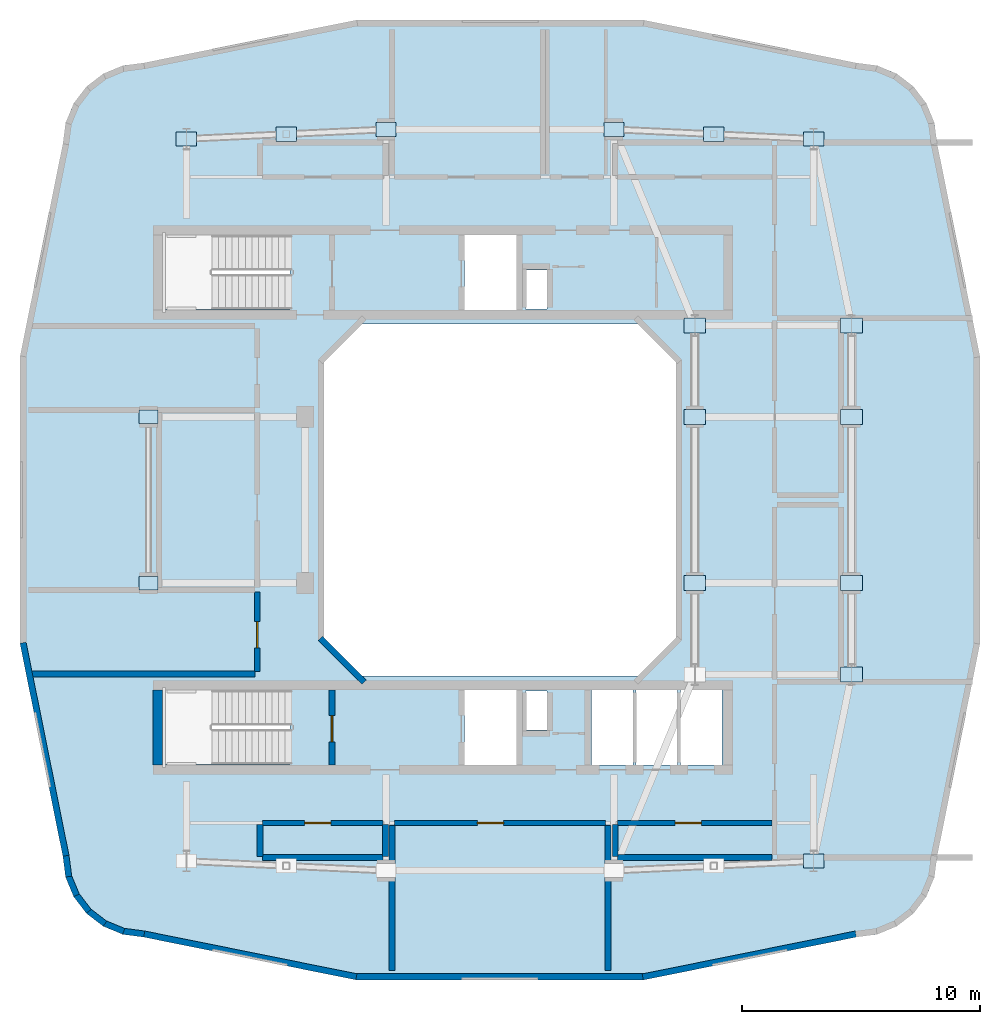
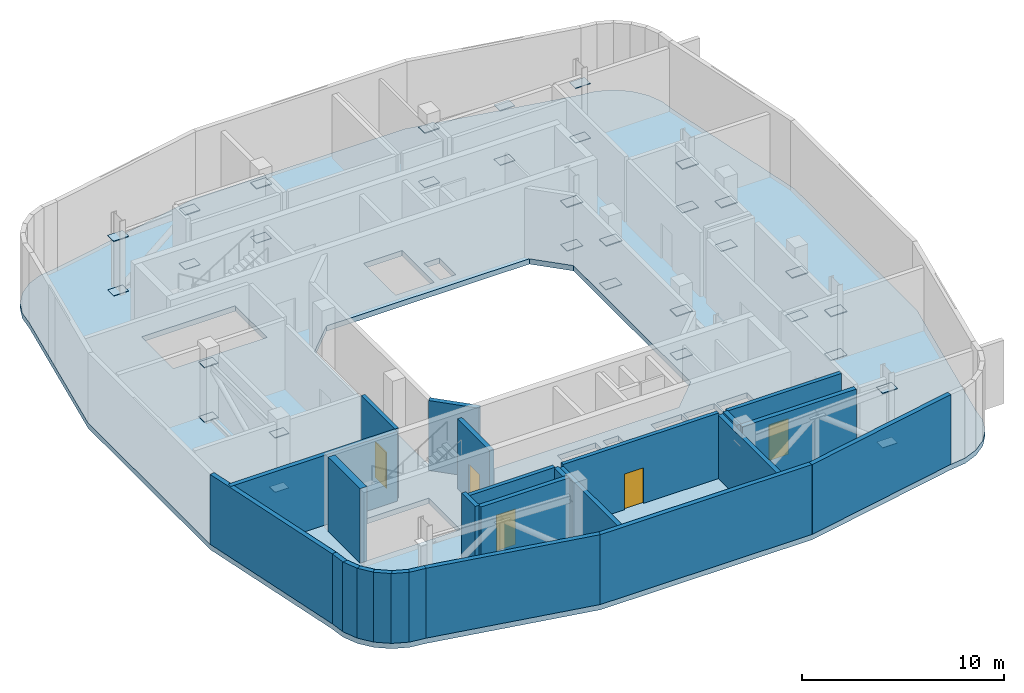
# One storey, part 3 of 9: 32 plates, 25 walls, 5 doors, 1 slab, 5 openings.
"""IFC4 building model written with IfcOpenShell, lengths in metres."""

from ifc_helpers import new_model, si_unit, derived_unit, direction, frame, frame_2d, origin, origin_2d, place, context, subcontext, project, spatial, polyline, rectangle, outline, extrude, material, layer, layer_set, type_object, element, fill, save


model = new_model("IFC4")

# Units and contexts
model_context = context("Model", 3, precision=1e-05, world=origin(), true_north=direction((0.0, 1.0)))
body_context = subcontext(model_context, "Body", "Model", "MODEL_VIEW")
ifc_project = project(units=[si_unit("LENGTHUNIT", "METRE"), si_unit("AREAUNIT", "SQUARE_METRE"), si_unit("VOLUMEUNIT", "CUBIC_METRE"), si_unit("PLANEANGLEUNIT", "RADIAN"), si_unit("MASSUNIT", "GRAM", prefix="KILO"), derived_unit("THERMALTRANSMITTANCEUNIT", [(si_unit("POWERUNIT", "WATT"), 1), (si_unit("LENGTHUNIT", "METRE"), -2), (si_unit("THERMODYNAMICTEMPERATUREUNIT", "KELVIN"), -1)])], contexts=[model_context])

# Site, building, storey
site_placement = place(None, origin())
site = spatial("IfcSite", under=ifc_project, at=site_placement, CompositionType="ELEMENT")
building_placement = place(site_placement, origin())
building = spatial("IfcBuilding", under=site, at=building_placement, Name="Kivonza Crest Hotel", CompositionType="ELEMENT")
storey_placement = place(building_placement, frame((0.0, 0.0, 173.0)))
storey = spatial("IfcBuildingStorey", under=building, at=storey_placement, Name="L47", CompositionType="ELEMENT", Elevation=173.0)

# Plates
ifc_material_1 = material(Name="Steel S355", Category="steel")
ifc_layer_1 = layer(ifc_material_1, 0.031982421875)
ifc_layer_set_1 = layer_set([ifc_layer_1], Name="Steel S355")
plate_type_1 = type_object("IfcPlateType", Name="PL-NODE-BT1", PredefinedType="SHEET", material=ifc_layer_set_1)
for number, where, z_axis, x_axis, name in (
    (1, (6.199951171875, 21.5, -0.01611328125), (0.0, 0.0, 1.0), (1.0, 0.0, 0.0), "ND-BT1 node gusset and end-cap plate L47 101"),
    (2, (6.199951171875, 28.5, -0.01611328125), (0.0, 0.0, 1.0), (1.0, 0.0, 0.0), "ND-BT1 node gusset and end-cap plate L47 102"),
    (3, (6.199951171875, 21.5, 3.2841796875), (0.0, 0.0, 1.0), (1.0, 0.0, 0.0), "ND-BT1 node gusset and end-cap plate L47 103"),
    (4, (6.199951171875, 28.5, 3.2841796875), (0.0, 0.0, 1.0), (1.0, 0.0, 0.0), "ND-BT1 node gusset and end-cap plate L47 104"),
):
    element("IfcPlate", number, at=place(storey_placement, frame(where, z_axis=z_axis, x_axis=x_axis)), inside=storey, type_object=plate_type_1, Name=name, PredefinedType="SHEET", context=body_context, shape_type="SweptSolid", body=[
        extrude(rectangle(XDim=0.800048828125, YDim=0.56005859375, at=origin_2d()), origin(), (0.0, 0.0, 1.0), 0.031982421875),
    ])
ifc_layer_2 = layer(ifc_material_1, 0.035888671875)
ifc_layer_set_2 = layer_set([ifc_layer_2], Name="Steel S355")
plate_type_2 = type_object("IfcPlateType", Name="PL-NODE-OT1", PredefinedType="SHEET", material=ifc_layer_set_2)
for number, where, z_axis, x_axis, name in (
    (5, (12.0, 40.39990234375, -0.01806640625), (0.0, 0.0, 1.0), (1.0, 0.0, 0.0), "ND-OT1 node gusset and end-cap plate L47 77"),
    (6, (12.0, 40.39990234375, 3.2822265625), (0.0, 0.0, 1.0), (1.0, 0.0, 0.0), "ND-OT1 node gusset and end-cap plate L47 78"),
    (7, (16.199951171875, 40.60009765625, -0.01806640625), (0.0, 0.0, 1.0), (1.0, 0.0, 0.0), "ND-OT1 node gusset and end-cap plate L47 79"),
    (8, (16.199951171875, 40.60009765625, 3.2822265625), (0.0, 0.0, 1.0), (1.0, 0.0, 0.0), "ND-OT1 node gusset and end-cap plate L47 80"),
    (9, (7.800048828125, 40.199951171875, -0.01806640625), (0.0, 0.0, 1.0), (1.0, 0.0, 0.0), "ND-OT1 node gusset and end-cap plate L47 81"),
    (10, (7.800048828125, 40.199951171875, 3.2822265625), (0.0, 0.0, 1.0), (1.0, 0.0, 0.0), "ND-OT1 node gusset and end-cap plate L47 82"),
    (11, (30.0, 40.39990234375, -0.01806640625), (0.0, 0.0, 1.0), (1.0, 0.0, 0.0), "ND-OT1 node gusset and end-cap plate L47 83"),
    (12, (30.0, 40.39990234375, 3.2822265625), (0.0, 0.0, 1.0), (1.0, 0.0, 0.0), "ND-OT1 node gusset and end-cap plate L47 84"),
    (13, (25.800048828125, 40.60009765625, -0.01806640625), (0.0, 0.0, 1.0), (1.0, 0.0, 0.0), "ND-OT1 node gusset and end-cap plate L47 85"),
    (14, (25.800048828125, 40.60009765625, 3.2822265625), (0.0, 0.0, 1.0), (1.0, 0.0, 0.0), "ND-OT1 node gusset and end-cap plate L47 86"),
    (15, (34.199951171875, 40.199951171875, -0.01806640625), (0.0, 0.0, 1.0), (1.0, 0.0, 0.0), "ND-OT1 node gusset and end-cap plate L47 87"),
    (16, (34.199951171875, 40.199951171875, 3.2822265625), (0.0, 0.0, 1.0), (1.0, 0.0, 0.0), "ND-OT1 node gusset and end-cap plate L47 88"),
    (17, (34.199951171875, 9.800048828125, -0.01806640625), (0.0, 0.0, 1.0), (1.0, 0.0, 0.0), "ND-OT1 node gusset and end-cap plate L47 99"),
    (18, (34.199951171875, 9.800048828125, 3.2822265625), (0.0, 0.0, 1.0), (1.0, 0.0, 0.0), "ND-OT1 node gusset and end-cap plate L47 100"),
):
    element("IfcPlate", number, at=place(storey_placement, frame(where, z_axis=z_axis, x_axis=x_axis)), inside=storey, type_object=plate_type_2, Name=name, PredefinedType="SHEET", context=body_context, shape_type="SweptSolid", body=[
        extrude(rectangle(XDim=0.860107421875, YDim=0.60009765625, at=origin_2d()), origin(), (0.0, 0.0, 1.0), 0.035888671875),
    ])
ifc_layer_3 = layer(ifc_material_1, 0.0380859375)
ifc_layer_set_3 = layer_set([ifc_layer_3], Name="Steel S355")
plate_type_3 = type_object("IfcPlateType", Name="PL-NODE-TR1", PredefinedType="SHEET", material=ifc_layer_set_3)
for number, where, z_axis, x_axis, name in (
    (19, (35.800048828125, 17.64990234375, -0.01904296875), (0.0, 0.0, 1.0), (1.0, 0.0, 0.0), "ND-TR1 node gusset and end-cap plate L47 9"),
    (20, (35.800048828125, 21.5, -0.01904296875), (0.0, 0.0, 1.0), (1.0, 0.0, 0.0), "ND-TR1 node gusset and end-cap plate L47 10"),
    (21, (35.800048828125, 17.64990234375, 2.630859375), (0.0, 0.0, 1.0), (1.0, 0.0, 0.0), "ND-TR1 node gusset and end-cap plate L47 11"),
    (22, (35.800048828125, 21.5, 2.630859375), (0.0, 0.0, 1.0), (1.0, 0.0, 0.0), "ND-TR1 node gusset and end-cap plate L47 12"),
    (23, (35.800048828125, 28.5, -0.01904296875), (0.0, 0.0, 1.0), (1.0, 0.0, 0.0), "ND-TR1 node gusset and end-cap plate L47 13"),
    (24, (35.800048828125, 28.5, 2.630859375), (0.0, 0.0, 1.0), (1.0, 0.0, 0.0), "ND-TR1 node gusset and end-cap plate L47 14"),
    (25, (35.800048828125, 32.35009765625, -0.01904296875), (0.0, 0.0, 1.0), (1.0, 0.0, 0.0), "ND-TR1 node gusset and end-cap plate L47 15"),
    (26, (35.800048828125, 32.35009765625, 2.630859375), (0.0, 0.0, 1.0), (1.0, 0.0, 0.0), "ND-TR1 node gusset and end-cap plate L47 16"),
    (27, (29.199951171875, 21.5, -0.01904296875), (0.0, 0.0, 1.0), (1.0, 0.0, 0.0), "ND-TR1 node gusset and end-cap plate L47 18"),
    (28, (29.199951171875, 21.5, 2.630859375), (0.0, 0.0, 1.0), (1.0, 0.0, 0.0), "ND-TR1 node gusset and end-cap plate L47 20"),
    (29, (29.199951171875, 28.5, -0.01904296875), (0.0, 0.0, 1.0), (1.0, 0.0, 0.0), "ND-TR1 node gusset and end-cap plate L47 21"),
    (30, (29.199951171875, 28.5, 2.630859375), (0.0, 0.0, 1.0), (1.0, 0.0, 0.0), "ND-TR1 node gusset and end-cap plate L47 22"),
    (31, (29.199951171875, 32.35009765625, -0.01904296875), (0.0, 0.0, 1.0), (1.0, 0.0, 0.0), "ND-TR1 node gusset and end-cap plate L47 23"),
    (32, (29.199951171875, 32.35009765625, 2.630859375), (0.0, 0.0, 1.0), (1.0, 0.0, 0.0), "ND-TR1 node gusset and end-cap plate L47 24"),
):
    element("IfcPlate", number, at=place(storey_placement, frame(where, z_axis=z_axis, x_axis=x_axis)), inside=storey, type_object=plate_type_3, Name=name, PredefinedType="SHEET", context=body_context, shape_type="SweptSolid", body=[
        extrude(rectangle(XDim=0.919921875, YDim=0.639892578125, at=origin_2d()), origin(), (0.0, 0.0, 1.0), 0.0380859375),
    ])

# Slab
ifc_material_2 = material(Name="Concrete C40/50", Category="concrete")
ifc_layer_4 = layer(ifc_material_2, 0.320068359375)
ifc_layer_set_4 = layer_set([ifc_layer_4], Name="Concrete C40/50")
slab_type = type_object("IfcSlabType", Name="SL-REF-320", PredefinedType="FLOOR", material=ifc_layer_set_4)
slab_placement = place(storey_placement, frame((0.0, 0.0, -0.320068359375)))
element("IfcSlab", 33, at=slab_placement, inside=storey, type_object=slab_type, Name="Tower T1 L47 floor slab", PredefinedType="FLOOR", context=body_context, shape_type="SweptSolid", body=[
    extrude(outline(polyline([(2.60009765625, 10.0), (2.716064453125, 9.1201171875), (3.055908203125, 8.300048828125), (3.595947265625, 7.595947265625), (4.300048828125, 7.055908203125), (5.1201171875, 6.716064453125), (6.0, 6.60009765625), (14.93994140625, 4.800048828125), (27.06005859375, 4.800048828125), (36.0, 6.60009765625), (36.8798828125, 6.716064453125), (37.699951171875, 7.055908203125), (38.404052734375, 7.595947265625), (38.944091796875, 8.300048828125), (39.283935546875, 9.1201171875), (39.39990234375, 10.0), (41.199951171875, 18.93994140625), (41.199951171875, 31.06005859375), (39.39990234375, 40.0), (39.283935546875, 40.8798828125), (38.944091796875, 41.699951171875), (38.404052734375, 42.404052734375), (37.699951171875, 42.944091796875), (36.8798828125, 43.283935546875), (36.0, 43.39990234375), (27.06005859375, 45.199951171875), (14.93994140625, 45.199951171875), (6.0, 43.39990234375), (5.1201171875, 43.283935546875), (4.300048828125, 42.944091796875), (3.595947265625, 42.404052734375), (3.055908203125, 41.699951171875), (2.716064453125, 40.8798828125), (2.60009765625, 40.0), (0.800048828125, 31.06005859375), (0.800048828125, 18.93994140625), (2.60009765625, 10.0)]), holes=[polyline([(15.199951171875, 17.60009765625), (26.800048828125, 17.60009765625), (28.39990234375, 19.199951171875), (28.39990234375, 30.800048828125), (26.800048828125, 32.39990234375), (15.199951171875, 32.39990234375), (13.60009765625, 30.800048828125), (13.60009765625, 19.199951171875), (15.199951171875, 17.60009765625)]), polyline([(6.800048828125, 33.02001953125), (12.159912109375, 33.02001953125), (12.159912109375, 36.159912109375), (6.800048828125, 36.159912109375), (6.800048828125, 33.02001953125)]), polyline([(6.800048828125, 13.860107421875), (12.159912109375, 13.860107421875), (12.159912109375, 17.0), (6.800048828125, 17.0), (6.800048828125, 13.860107421875)]), polyline([(22.080078125, 33.0400390625), (22.969970703125, 33.0400390625), (22.969970703125, 34.679931640625), (22.080078125, 34.679931640625), (22.080078125, 33.0400390625)]), polyline([(22.080078125, 15.320068359375), (22.969970703125, 15.320068359375), (22.969970703125, 16.9599609375), (22.080078125, 16.9599609375), (22.080078125, 15.320068359375)]), polyline([(19.5, 33.0), (21.699951171875, 33.0), (21.699951171875, 36.159912109375), (19.5, 36.159912109375), (19.5, 33.0)]), polyline([(19.5, 13.840087890625), (21.699951171875, 13.840087890625), (21.699951171875, 17.0), (19.5, 17.0), (19.5, 13.840087890625)]), polyline([(24.860107421875, 13.840087890625), (26.60693359375, 13.840087890625), (26.60693359375, 17.0), (24.860107421875, 17.0), (24.860107421875, 13.840087890625)]), polyline([(26.72705078125, 13.840087890625), (28.472900390625, 13.840087890625), (28.472900390625, 17.0), (26.72705078125, 17.0), (26.72705078125, 13.840087890625)]), polyline([(28.593017578125, 13.840087890625), (30.340087890625, 13.840087890625), (30.340087890625, 17.0), (28.593017578125, 17.0), (28.593017578125, 13.840087890625)])]), origin(), (0.0, 0.0, 1.0), 0.320068359375),
])

# Wall, opening, door
ifc_material_3 = material(Name="Autoclaved aerated concrete blockwork", Category="masonry")
ifc_layer_5 = layer(ifc_material_3, 0.219970703125)
ifc_layer_set_5 = layer_set([ifc_layer_5], Name="Autoclaved aerated concrete blockwork")
wall_type_1 = type_object("IfcWallType", Name="WL-ACOU-220", PredefinedType="SOLIDWALL", material=ifc_layer_set_5)
wall_1_placement = place(storey_placement, frame((16.550048828125, 11.39990234375, 0.0), z_axis=(0.0, 0.0, 1.0), x_axis=(1.0, 0.0, 0.0)))
wall_1 = element("IfcWall", 34, at=wall_1_placement, inside=storey, type_object=wall_type_1, Name="L47 interior partition WA-L47-REF-S-N", PredefinedType="SOLIDWALL", context=body_context, shape_type="SweptSolid", body=[
    extrude(rectangle(XDim=8.89990234375, YDim=0.219970703125, at=frame_2d((4.449951171875, 0.0))), origin(), (0.0, 0.0, 1.0), 3.955078125),
])
opening_1_placement = place(wall_1_placement, frame((3.5, 0.0, 0.0)))
opening_1 = element("IfcOpeningElement", 35, at=opening_1_placement, cuts=wall_1, Name="Opening DF-120", PredefinedType="OPENING", context=body_context, shape_type="SweptSolid", body=[
    extrude(rectangle(XDim=1.10009765625, YDim=2.14990234375, at=frame_2d((0.550048828125, 1.074951171875))), frame((0.0, 0.1201171875, 0.0), z_axis=(0.0, -1.0, 0.0), x_axis=(1.0, 0.0, 0.0)), (0.0, 0.0, 1.0), 0.239990234375),
])
ifc_material_4 = material(Name="Galvanised steel", Category="steel")
door_type = type_object("IfcDoorType", Name="DR-FD120-1100", OperationType="NOTDEFINED", PredefinedType="DOOR", material=ifc_material_4)
door_1_placement = place(opening_1_placement, frame((1.10009765625, 0.0, 0.0), z_axis=(0.0, 0.0, 1.0), x_axis=(-1.0, 0.0, 0.0)))
door_1 = element("IfcDoor", 36, at=door_1_placement, inside=storey, type_object=door_type, Name="L47 South Protected Refuge Area door", OperationType="SINGLE_SWING_LEFT", OverallHeight=2.14990234375, OverallWidth=1.10009765625, PredefinedType="DOOR", context=body_context, shape_type="SweptSolid", body=[
    extrude(rectangle(XDim=1.10009765625, YDim=2.14990234375, at=frame_2d((0.550048828125, 1.074951171875))), frame((0.0, 0.02490234375, 0.0), z_axis=(0.0, -1.0, 0.0), x_axis=(1.0, 0.0, 0.0)), (0.0, 0.0, 1.0), 0.050048828125),
])
fill(opening_1, door_1)

wall_2_placement = place(storey_placement, frame((10.780029296875, 17.780029296875, 0.0), z_axis=(0.0, 0.0, 1.0), x_axis=(0.0, 1.0, 0.0)))
wall_2 = element("IfcWall", 37, at=wall_2_placement, inside=storey, type_object=wall_type_1, Name="L47 interior partition WA-L47-PL-TNK-E", PredefinedType="SOLIDWALL", context=body_context, shape_type="SweptSolid", body=[
    extrude(rectangle(XDim=3.340087890625, YDim=0.219970703125, at=frame_2d((1.669921875, 0.0))), origin(), (0.0, 0.0, 1.0), 4.219970703125),
])
opening_2_placement = place(wall_2_placement, frame((0.998046875, 0.0, 0.0)))
opening_2 = element("IfcOpeningElement", 38, at=opening_2_placement, cuts=wall_2, Name="Opening DF-120", PredefinedType="OPENING", context=body_context, shape_type="SweptSolid", body=[
    extrude(rectangle(XDim=1.10009765625, YDim=2.14990234375, at=frame_2d((0.550048828125, 1.074951171875))), frame((0.0, 0.1201171875, 0.0), z_axis=(0.0, -1.0, 0.0), x_axis=(1.0, 0.0, 0.0)), (0.0, 0.0, 1.0), 0.239990234375),
])
door_2_placement = place(opening_2_placement, origin())
door_2 = element("IfcDoor", 39, at=door_2_placement, inside=storey, type_object=door_type, Name="L47 Fire Break Tank and Booster Pump Room door", OperationType="SINGLE_SWING_RIGHT", OverallHeight=2.14990234375, OverallWidth=1.10009765625, PredefinedType="DOOR", context=body_context, shape_type="SweptSolid", body=[
    extrude(rectangle(XDim=1.10009765625, YDim=2.14990234375, at=frame_2d((0.550048828125, 1.074951171875))), frame((0.0, 0.02490234375, 0.0), z_axis=(0.0, -1.0, 0.0), x_axis=(1.0, 0.0, 0.0)), (0.0, 0.0, 1.0), 0.050048828125),
])
fill(opening_2, door_2)

wall_3_placement = place(storey_placement, frame((11.0, 11.39990234375, 0.0), z_axis=(0.0, 0.0, 1.0), x_axis=(1.0, 0.0, 0.0)))
wall_3 = element("IfcWall", 40, at=wall_3_placement, inside=storey, type_object=wall_type_1, Name="L47 interior partition WA-L47-PL-MSW-N", PredefinedType="SOLIDWALL", context=body_context, shape_type="SweptSolid", body=[
    extrude(rectangle(XDim=5.080078125, YDim=0.219970703125, at=frame_2d((2.5400390625, 0.0))), origin(), (0.0, 0.0, 1.0), 3.955078125),
])
opening_3_placement = place(wall_3_placement, frame((1.781005859375, 0.0, 0.0)))
opening_3 = element("IfcOpeningElement", 41, at=opening_3_placement, cuts=wall_3, Name="Opening DF-120", PredefinedType="OPENING", context=body_context, shape_type="SweptSolid", body=[
    extrude(rectangle(XDim=1.10009765625, YDim=2.14990234375, at=frame_2d((0.550048828125, 1.074951171875))), frame((0.0, 0.1201171875, 0.0), z_axis=(0.0, -1.0, 0.0), x_axis=(1.0, 0.0, 0.0)), (0.0, 0.0, 1.0), 0.239990234375),
])
door_3_placement = place(opening_3_placement, frame((1.10009765625, 0.0, 0.0), z_axis=(0.0, 0.0, 1.0), x_axis=(-1.0, 0.0, 0.0)))
door_3 = element("IfcDoor", 42, at=door_3_placement, inside=storey, type_object=door_type, Name="L47 South-West Booster Plant Room door", OperationType="SINGLE_SWING_LEFT", OverallHeight=2.14990234375, OverallWidth=1.10009765625, PredefinedType="DOOR", context=body_context, shape_type="SweptSolid", body=[
    extrude(rectangle(XDim=1.10009765625, YDim=2.14990234375, at=frame_2d((0.550048828125, 1.074951171875))), frame((0.0, 0.02490234375, 0.0), z_axis=(0.0, -1.0, 0.0), x_axis=(1.0, 0.0, 0.0)), (0.0, 0.0, 1.0), 0.050048828125),
])
fill(opening_3, door_3)

wall_4_placement = place(storey_placement, frame((25.949951171875, 11.39990234375, 0.0), z_axis=(0.0, 0.0, 1.0), x_axis=(1.0, 0.0, 0.0)))
wall_4 = element("IfcWall", 43, at=wall_4_placement, inside=storey, type_object=wall_type_1, Name="L47 interior partition WA-L47-PL-MIDS-N", PredefinedType="SOLIDWALL", context=body_context, shape_type="SweptSolid", body=[
    extrude(rectangle(XDim=6.510009765625, YDim=0.219970703125, at=frame_2d((3.2548828125, 0.0))), origin(), (0.0, 0.0, 1.0), 3.89501953125),
])
opening_4_placement = place(wall_4_placement, frame((2.425048828125, 0.0, 0.0)))
opening_4 = element("IfcOpeningElement", 44, at=opening_4_placement, cuts=wall_4, Name="Opening DF-120", PredefinedType="OPENING", context=body_context, shape_type="SweptSolid", body=[
    extrude(rectangle(XDim=1.10009765625, YDim=2.14990234375, at=frame_2d((0.550048828125, 1.074951171875))), frame((0.0, 0.1201171875, 0.0), z_axis=(0.0, -1.0, 0.0), x_axis=(1.0, 0.0, 0.0)), (0.0, 0.0, 1.0), 0.239990234375),
])
door_4_placement = place(opening_4_placement, frame((1.10009765625, 0.0, 0.0), z_axis=(0.0, 0.0, 1.0), x_axis=(-1.0, 0.0, 0.0)))
door_4 = element("IfcDoor", 45, at=door_4_placement, inside=storey, type_object=door_type, Name="L47 South-East Header Plant Room door", OperationType="SINGLE_SWING_LEFT", OverallHeight=2.14990234375, OverallWidth=1.10009765625, PredefinedType="DOOR", context=body_context, shape_type="SweptSolid", body=[
    extrude(rectangle(XDim=1.10009765625, YDim=2.14990234375, at=frame_2d((0.550048828125, 1.074951171875))), frame((0.0, 0.02490234375, 0.0), z_axis=(0.0, -1.0, 0.0), x_axis=(1.0, 0.0, 0.0)), (0.0, 0.0, 1.0), 0.050048828125),
])
fill(opening_4, door_4)

# Walls
ifc_material_5 = material(Name="Concrete C50/60", Category="concrete")
ifc_layer_6 = layer(ifc_material_5, 0.39990234375)
ifc_layer_set_6 = layer_set([ifc_layer_6], Name="Concrete C50/60")
wall_type_2 = type_object("IfcWallType", Name="WL-CORE-400", PredefinedType="SHEAR", material=ifc_layer_set_6)
wall_5_placement = place(storey_placement, frame((6.60009765625, 13.840087890625, 0.0), z_axis=(0.0, 0.0, 1.0), x_axis=(0.0, 1.0, 0.0)))
element("IfcWall", 46, at=wall_5_placement, inside=storey, type_object=wall_type_2, Name="Core wall T1-S West L47", PredefinedType="SHEAR", context=body_context, shape_type="SweptSolid", body=[
    extrude(rectangle(XDim=3.159912109375, YDim=0.39990234375, at=frame_2d((1.580078125, 0.0))), origin(), (0.0, 0.0, 1.0), 4.5),
])
ifc_material_6 = material(Name="Precast concrete C40/50", Category="concrete")
ifc_layer_7 = layer(ifc_material_6, 0.260009765625)
ifc_layer_set_7 = layer_set([ifc_layer_7], Name="Precast concrete C40/50")
wall_type_3 = type_object("IfcWallType", Name="WL-EXT-260", PredefinedType="STANDARD", material=ifc_layer_set_7)
wall_6_placement = place(storey_placement, frame((2.72802734375, 10.02490234375, 0.0), z_axis=(0.0, 0.0, 1.0), x_axis=(0.130953706898, -0.991388484223, 0.0)))
element("IfcWall", 47, at=wall_6_placement, inside=storey, type_object=wall_type_3, Name="L47 T1 exterior insulated wall 1", PredefinedType="STANDARD", context=body_context, shape_type="SweptSolid", body=[
    extrude(rectangle(XDim=0.885498046875, YDim=0.260009765625, at=frame_2d((0.44287109375, 0.0))), origin(), (0.0, 0.0, 1.0), 4.219970703125),
])
wall_7_placement = place(storey_placement, frame((2.825927734375, 9.193115234375, 0.0), z_axis=(0.0, 0.0, 1.0), x_axis=(0.383290660547, -0.923627776508, 0.0)))
element("IfcWall", 48, at=wall_7_placement, inside=storey, type_object=wall_type_3, Name="L47 T1 exterior insulated wall 2", PredefinedType="STANDARD", context=body_context, shape_type="SweptSolid", body=[
    extrude(rectangle(XDim=0.9033203125, YDim=0.260009765625, at=frame_2d((0.45166015625, 0.0))), origin(), (0.0, 0.0, 1.0), 4.219970703125),
])
wall_8_placement = place(storey_placement, frame((3.14404296875, 8.39892578125, 0.0), z_axis=(0.0, 0.0, 1.0), x_axis=(0.608624690463, -0.793458244748, 0.0)))
element("IfcWall", 49, at=wall_8_placement, inside=storey, type_object=wall_type_3, Name="L47 T1 exterior insulated wall 3", PredefinedType="STANDARD", context=body_context, shape_type="SweptSolid", body=[
    extrude(rectangle(XDim=0.902099609375, YDim=0.260009765625, at=frame_2d((0.451171875, 0.0))), origin(), (0.0, 0.0, 1.0), 4.219970703125),
])
wall_9_placement = place(storey_placement, frame((3.655029296875, 7.714111328125, 0.0), z_axis=(0.0, 0.0, 1.0), x_axis=(0.793558456666, -0.608494022858, 0.0)))
element("IfcWall", 50, at=wall_9_placement, inside=storey, type_object=wall_type_3, Name="L47 T1 exterior insulated wall 4", PredefinedType="STANDARD", context=body_context, shape_type="SweptSolid", body=[
    extrude(rectangle(XDim=0.90234375, YDim=0.260009765625, at=frame_2d((0.451171875, 0.0))), origin(), (0.0, 0.0, 1.0), 4.219970703125),
])
wall_10_placement = place(storey_placement, frame((4.326904296875, 7.18603515625, 0.0), z_axis=(0.0, 0.0, 1.0), x_axis=(0.923683767999, -0.383155708213, 0.0)))
element("IfcWall", 51, at=wall_10_placement, inside=storey, type_object=wall_type_3, Name="L47 T1 exterior insulated wall 5", PredefinedType="STANDARD", context=body_context, shape_type="SweptSolid", body=[
    extrude(rectangle(XDim=0.90283203125, YDim=0.260009765625, at=frame_2d((0.451416015625, 0.0))), origin(), (0.0, 0.0, 1.0), 4.219970703125),
])
wall_11_placement = place(storey_placement, frame((5.112060546875, 6.847900390625, 0.0), z_axis=(0.0, 0.0, 1.0), x_axis=(0.991487658083, -0.130200706103, 0.0)))
element("IfcWall", 52, at=wall_11_placement, inside=storey, type_object=wall_type_3, Name="L47 T1 exterior insulated wall 6", PredefinedType="STANDARD", context=body_context, shape_type="SweptSolid", body=[
    extrude(rectangle(XDim=0.920654296875, YDim=0.260009765625, at=frame_2d((0.46044921875, 0.0))), origin(), (0.0, 0.0, 1.0), 4.219970703125),
])
wall_12_placement = place(storey_placement, frame((6.01806640625, 6.72900390625, 0.0), z_axis=(0.0, 0.0, 1.0), x_axis=(0.980317172899, -0.197429077186, 0.0)))
element("IfcWall", 53, at=wall_12_placement, inside=storey, type_object=wall_type_3, Name="L47 T1 exterior insulated wall 7", PredefinedType="STANDARD", context=body_context, shape_type="SweptSolid", body=[
    extrude(rectangle(XDim=9.117431640625, YDim=0.260009765625, at=frame_2d((4.55859375, 0.0))), origin(), (0.0, 0.0, 1.0), 4.219970703125),
])
wall_13_placement = place(storey_placement, frame((14.9150390625, 4.929931640625, 0.0), z_axis=(0.0, 0.0, 1.0), x_axis=(1.0, 0.0, 0.0)))
element("IfcWall", 54, at=wall_13_placement, inside=storey, type_object=wall_type_3, Name="L47 T1 exterior insulated wall 8", PredefinedType="STANDARD", context=body_context, shape_type="SweptSolid", body=[
    extrude(rectangle(XDim=12.135009765625, YDim=0.260009765625, at=frame_2d((6.0673828125, 0.0))), origin(), (0.0, 0.0, 1.0), 4.219970703125),
])
for number, where, z_axis, x_axis, name in (
    (55, (27.009033203125, 4.922119140625, 0.0), (0.0, 0.0, 1.0), (0.980321298532, 0.197408590603, 0.0), "L47 T1 exterior insulated wall 9"),
    (56, (0.922119140625, 18.990966796875, 0.0), (0.0, 0.0, 1.0), (0.197408590603, -0.980321298532, 0.0), "L47 T1 exterior insulated wall 36"),
):
    element("IfcWall", number, at=place(storey_placement, frame(where, z_axis=z_axis, x_axis=x_axis)), inside=storey, type_object=wall_type_3, Name=name, PredefinedType="STANDARD", context=body_context, shape_type="SweptSolid", body=[
        extrude(rectangle(XDim=9.153076171875, YDim=0.260009765625, at=frame_2d((4.57666015625, 0.0))), origin(), (0.0, 0.0, 1.0), 4.219970703125),
    ])
wall_14_placement = place(storey_placement, frame((13.444091796875, 19.172119140625, 0.0), z_axis=(0.0, 0.0, 1.0), x_axis=(0.707059717605, -0.707153841636, 0.0)))
element("IfcWall", 57, at=wall_14_placement, inside=storey, type_object=wall_type_3, Name="L47 T1 light-well exterior wall 8", PredefinedType="STANDARD", context=body_context, shape_type="SweptSolid", body=[
    extrude(rectangle(XDim=2.59375, YDim=0.260009765625, at=frame_2d((1.296875, 0.0))), origin(), (0.0, 0.0, 1.0), 4.219970703125),
])
ifc_material_7 = material(Name="Concrete blockwork fire-compartment wall", Category="masonry")
ifc_layer_8 = layer(ifc_material_7, 0.25)
ifc_layer_set_8 = layer_set([ifc_layer_8], Name="Concrete blockwork fire-compartment wall")
wall_type_4 = type_object("IfcWallType", Name="WL-FIRE-250", PredefinedType="SOLIDWALL", material=ifc_layer_set_8)
for number, where, z_axis, x_axis, name in (
    (58, (16.449951171875, 5.199951171875, 0.0), (0.0, 0.0, 1.0), (0.0, 1.0, 0.0), "L47 interior partition WP-L47-REF-S-BW"),
    (59, (25.550048828125, 5.199951171875, 0.0), (0.0, 0.0, 1.0), (0.0, 1.0, 0.0), "L47 interior partition WP-L47-REF-S-BE"),
):
    element("IfcWall", number, at=place(storey_placement, frame(where, z_axis=z_axis, x_axis=x_axis)), inside=storey, type_object=wall_type_4, Name=name, PredefinedType="SOLIDWALL", context=body_context, shape_type="SweptSolid", body=[
        extrude(rectangle(XDim=6.10009765625, YDim=0.25, at=frame_2d((3.050048828125, 0.0))), origin(), (0.0, 0.0, 1.0), 3.8349609375),
    ])
wall_15_placement = place(storey_placement, frame((1.14990234375, 17.679931640625, 0.0), z_axis=(0.0, 0.0, 1.0), x_axis=(1.0, 0.0, 0.0)))
element("IfcWall", 60, at=wall_15_placement, inside=storey, type_object=wall_type_4, Name="L47 interior partition WP-L47-PL-TNK-BS", PredefinedType="SOLIDWALL", context=body_context, shape_type="SweptSolid", body=[
    extrude(rectangle(XDim=9.530029296875, YDim=0.25, at=frame_2d((4.76513671875, 0.0))), origin(), (0.0, 0.0, 1.0), 4.219970703125),
])
wall_16_placement = place(storey_placement, frame((10.89990234375, 10.0, 0.0), z_axis=(0.0, 0.0, 1.0), x_axis=(0.0, 1.0, 0.0)))
element("IfcWall", 61, at=wall_16_placement, inside=storey, type_object=wall_type_4, Name="L47 interior partition WP-L47-PL-MSW-BW", PredefinedType="SOLIDWALL", context=body_context, shape_type="SweptSolid", body=[
    extrude(rectangle(XDim=1.35009765625, YDim=0.25, at=frame_2d((0.675048828125, 0.0))), origin(), (0.0, 0.0, 1.0), 4.219970703125),
])
wall_17_placement = place(storey_placement, frame((16.179931640625, 10.0, 0.0), z_axis=(0.0, 0.0, 1.0), x_axis=(0.0, 1.0, 0.0)))
element("IfcWall", 62, at=wall_17_placement, inside=storey, type_object=wall_type_4, Name="L47 interior partition WP-L47-PL-MSW-BE", PredefinedType="SOLIDWALL", context=body_context, shape_type="SweptSolid", body=[
    extrude(rectangle(XDim=1.35009765625, YDim=0.25, at=frame_2d((0.675048828125, 0.0))), origin(), (0.0, 0.0, 1.0), 3.89501953125),
])
wall_18_placement = place(storey_placement, frame((11.0, 9.949951171875, 0.0), z_axis=(0.0, 0.0, 1.0), x_axis=(1.0, 0.0, 0.0)))
element("IfcWall", 63, at=wall_18_placement, inside=storey, type_object=wall_type_4, Name="L47 interior partition WP-L47-PL-MSW-BS", PredefinedType="SOLIDWALL", context=body_context, shape_type="SweptSolid", body=[
    extrude(rectangle(XDim=5.080078125, YDim=0.25, at=frame_2d((2.5400390625, 0.0))), origin(), (0.0, 0.0, 1.0), 4.219970703125),
])
wall_19_placement = place(storey_placement, frame((25.85009765625, 10.0, 0.0), z_axis=(0.0, 0.0, 1.0), x_axis=(0.0, 1.0, 0.0)))
element("IfcWall", 64, at=wall_19_placement, inside=storey, type_object=wall_type_4, Name="L47 interior partition WP-L47-PL-MIDS-BW", PredefinedType="SOLIDWALL", context=body_context, shape_type="SweptSolid", body=[
    extrude(rectangle(XDim=1.35009765625, YDim=0.25, at=frame_2d((0.675048828125, 0.0))), origin(), (0.0, 0.0, 1.0), 3.89501953125),
])
wall_20_placement = place(storey_placement, frame((25.949951171875, 9.949951171875, 0.0), z_axis=(0.0, 0.0, 1.0), x_axis=(1.0, 0.0, 0.0)))
element("IfcWall", 65, at=wall_20_placement, inside=storey, type_object=wall_type_4, Name="L47 interior partition WP-L47-PL-MIDS-BS", PredefinedType="SOLIDWALL", context=body_context, shape_type="SweptSolid", body=[
    extrude(rectangle(XDim=6.510009765625, YDim=0.25, at=frame_2d((3.2548828125, 0.0))), origin(), (0.0, 0.0, 1.0), 3.8349609375),
])

# Wall, opening, door
ifc_layer_9 = layer(ifc_material_5, 0.25)
ifc_layer_set_9 = layer_set([ifc_layer_9], Name="Concrete C50/60")
wall_type_5 = type_object("IfcWallType", Name="WL-SHAFT-250", PredefinedType="STANDARD", material=ifc_layer_set_9)
wall_21_placement = place(storey_placement, frame((13.925048828125, 13.840087890625, 0.0), z_axis=(0.0, 0.0, 1.0), x_axis=(0.0, 1.0, 0.0)))
wall_21 = element("IfcWall", 66, at=wall_21_placement, inside=storey, type_object=wall_type_5, Name="Core shaft wall T1-S STAIR L47", PredefinedType="STANDARD", context=body_context, shape_type="SweptSolid", body=[
    extrude(rectangle(XDim=3.159912109375, YDim=0.25, at=frame_2d((1.580078125, 0.0))), origin(), (0.0, 0.0, 1.0), 4.219970703125),
])
opening_5_placement = place(wall_21_placement, frame((0.97998046875, 0.0, 0.0)))
opening_5 = element("IfcOpeningElement", 67, at=opening_5_placement, cuts=wall_21, Name="Opening DF-120", PredefinedType="OPENING", context=body_context, shape_type="SweptSolid", body=[
    extrude(rectangle(XDim=1.10009765625, YDim=2.14990234375, at=frame_2d((0.550048828125, 1.074951171875))), frame((0.0, 0.135009765625, 0.0), z_axis=(0.0, -1.0, 0.0), x_axis=(1.0, 0.0, 0.0)), (0.0, 0.0, 1.0), 0.27001953125),
])
door_5_placement = place(opening_5_placement, frame((1.10009765625, 0.0, 0.0), z_axis=(0.0, 0.0, 1.0), x_axis=(-1.0, 0.0, 0.0)))
door_5 = element("IfcDoor", 68, at=door_5_placement, inside=storey, type_object=door_type, Name="L47 T1-S stair fire door", OperationType="SINGLE_SWING_RIGHT", OverallHeight=2.14990234375, OverallWidth=1.10009765625, PredefinedType="DOOR", context=body_context, shape_type="SweptSolid", body=[
    extrude(rectangle(XDim=1.10009765625, YDim=2.14990234375, at=frame_2d((0.550048828125, 1.074951171875))), frame((0.0, 0.02490234375, 0.0), z_axis=(0.0, -1.0, 0.0), x_axis=(1.0, 0.0, 0.0)), (0.0, 0.0, 1.0), 0.050048828125),
])
fill(opening_5, door_5)

save(model, "model.ifc")
